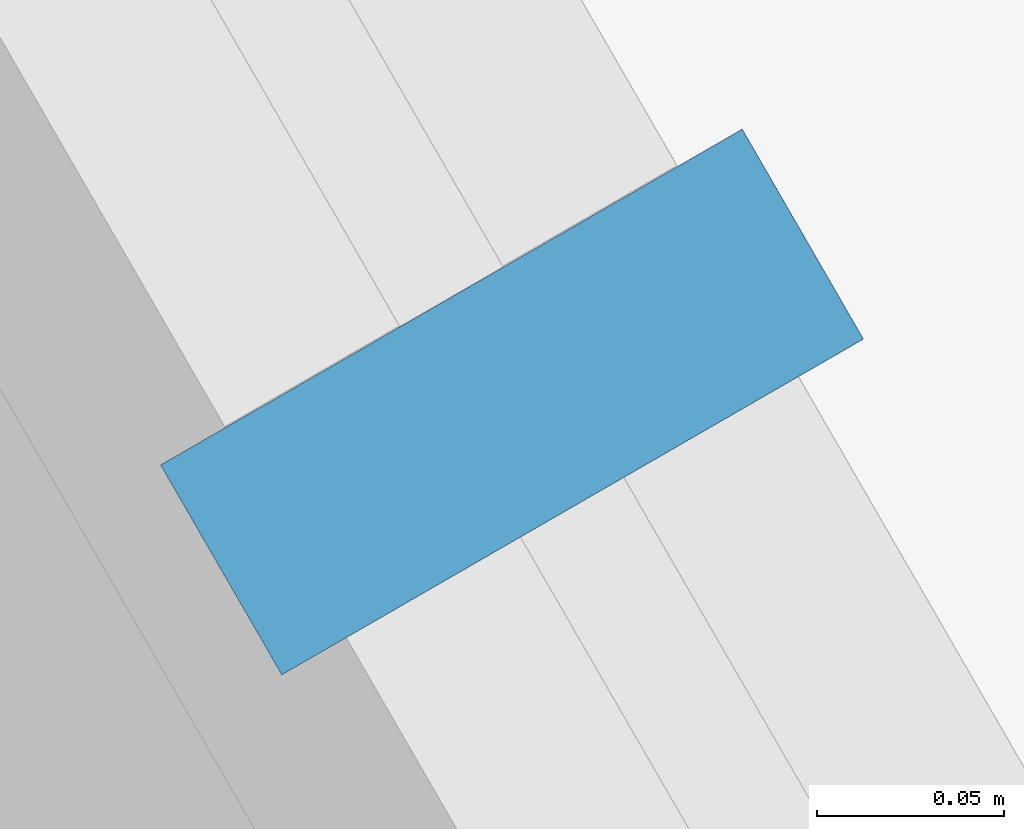
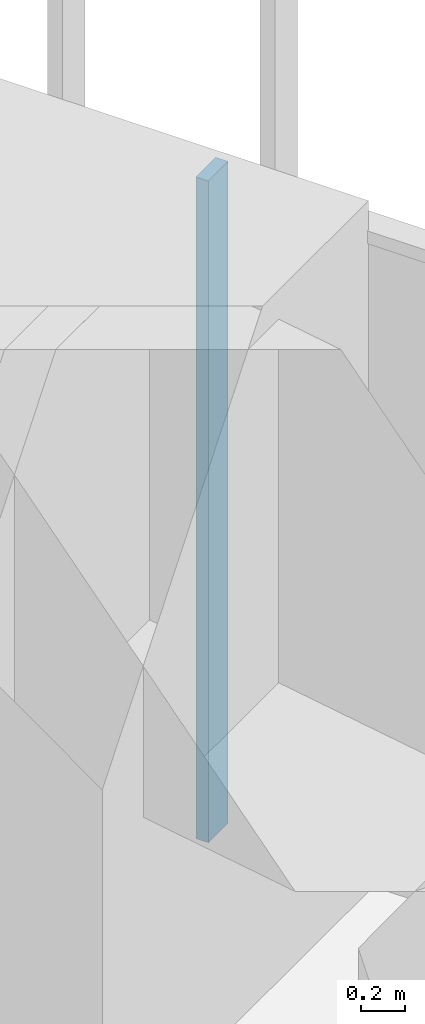
# One storey, part 191 of 238: 1 member, 1 element without a shape of its own.
"""IFC4 building model written with IfcOpenShell, lengths in metres."""

from ifc_helpers import new_model, si_unit, direction, frame, origin, origin_2d, place, context, subcontext, project, spatial, rectangle, extrude, material, material_profile, profile_set, type_object, element, aggregate, save


model = new_model("IFC4")

# Units and contexts
model_context = context("Model", 3, precision=1e-05, world=origin(), true_north=direction((0.0, 1.0)))
body_context = subcontext(model_context, "Body", "Model", "MODEL_VIEW")
ifc_project = project(units=[si_unit("LENGTHUNIT", "METRE"), si_unit("AREAUNIT", "SQUARE_METRE"), si_unit("VOLUMEUNIT", "CUBIC_METRE"), si_unit("PLANEANGLEUNIT", "RADIAN"), si_unit("MASSUNIT", "GRAM", prefix="KILO")], contexts=[model_context])

# Site, building, storey
site_placement = place(None, origin())
site = spatial("IfcSite", under=ifc_project, at=site_placement, CompositionType="ELEMENT")
building_placement = place(site_placement, origin())
building = spatial("IfcBuilding", under=site, at=building_placement, Name="Sandreach Pilgrim Tower", CompositionType="ELEMENT")
storey_placement = place(building_placement, frame((0.0, 0.0, 96.800048828125)))
storey = spatial("IfcBuildingStorey", under=building, at=storey_placement, Name="L23", CompositionType="ELEMENT", Elevation=96.800048828125)

# Curtain wall, member
ifc_material_1 = material(Name="Aluminium framed curtain wall", Category="aluminium")
curtain_wall_type = type_object("IfcCurtainWallType", Name="Hotel tower curtain wall", PredefinedType="NOTDEFINED", material=ifc_material_1)
curtain_wall_placement = place(storey_placement, origin())
curtain_wall = element("IfcCurtainWall", 1, at=curtain_wall_placement, inside=storey, type_object=curtain_wall_type, Name="CW-2 L23 NE", PredefinedType="NOTDEFINED")
ifc_material_2 = material(Name="Aluminium extrusion", Category="aluminium")
ifc_material_profile = material_profile(ifc_material_2, rectangle(XDim=0.06494140625, YDim=0.179931640625, at=origin_2d()), Name="CW-2M 65X180")
ifc_profile_set = profile_set([ifc_material_profile], Name="Aluminium extrusion")
member_type = type_object("IfcMemberType", Name="CW-2 mullion", PredefinedType="MULLION", material=ifc_profile_set)
member_placement = place(storey_placement, frame((26.568115234375, 10.3671875, 0.0), z_axis=(0.0, 0.0, 1.0), x_axis=(0.5, -0.866025403784, 0.0)))
member = element("IfcMember", 2, at=member_placement, type_object=member_type, Name="CW-2 mullion 4", PredefinedType="MULLION", context=body_context, shape_type="SweptSolid", body=[
    extrude(rectangle(XDim=0.06494140625, YDim=0.179931640625, at=origin_2d()), origin(), (0.0, 0.0, 1.0), 3.639892578125),
])
aggregate(curtain_wall, [member])

save(model, "model.ifc")
